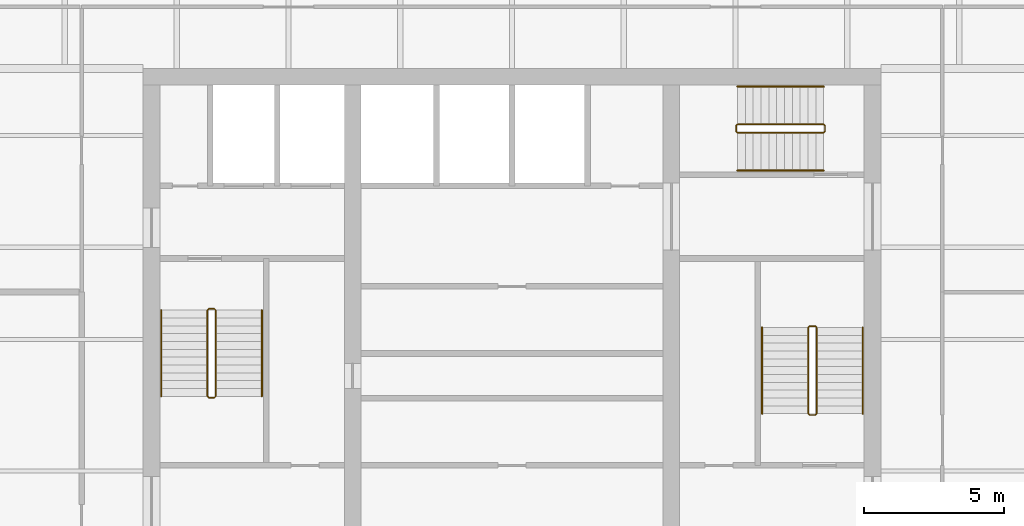
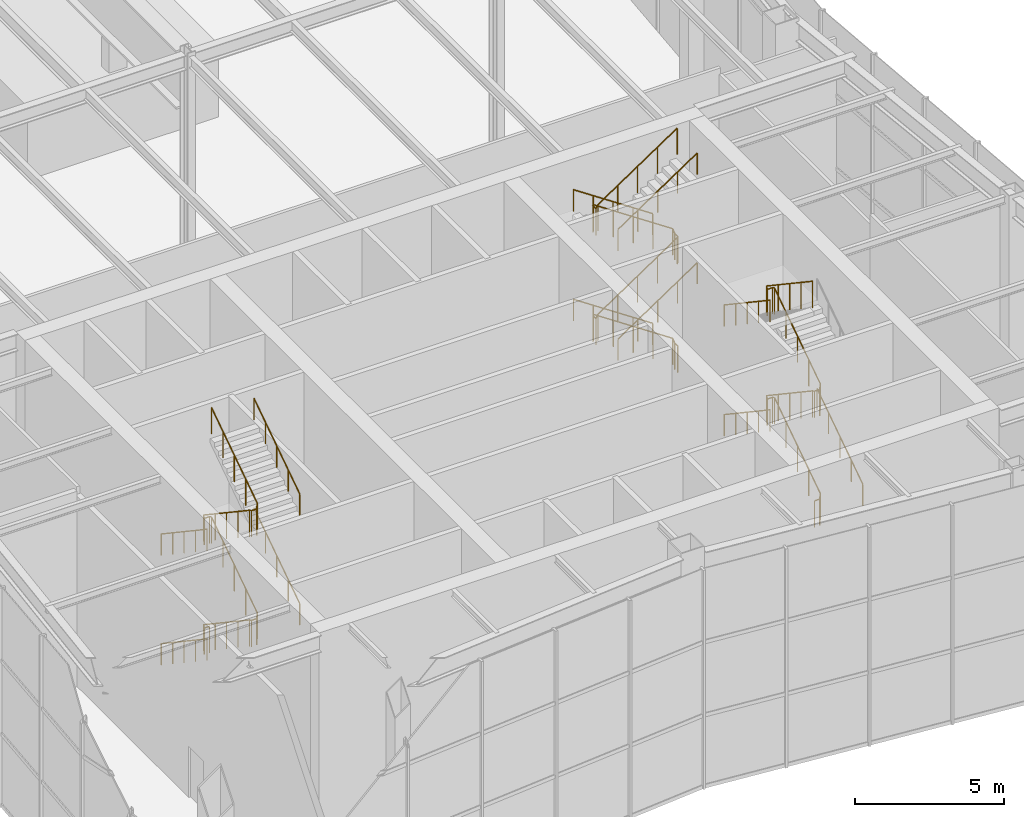
# One storey, part 14 of 16: 14 railings.
"""IFC4 building model written with IfcOpenShell, lengths in metres."""

from ifc_helpers import new_model, si_unit, direction, frame, origin, origin_2d, place, context, subcontext, project, spatial, circle, extrude, material, type_object, element, save


model = new_model("IFC4")

# Units and contexts
model_context = context("Model", 3, precision=1e-05, world=origin(), true_north=direction((0.0, 1.0)))
body_context = subcontext(model_context, "Body", "Model", "MODEL_VIEW")
ifc_project = project(units=[si_unit("LENGTHUNIT", "METRE"), si_unit("AREAUNIT", "SQUARE_METRE"), si_unit("VOLUMEUNIT", "CUBIC_METRE"), si_unit("PLANEANGLEUNIT", "RADIAN"), si_unit("MASSUNIT", "GRAM", prefix="KILO")], contexts=[model_context])

# Site, building, storey
site_placement = place(None, origin())
site = spatial("IfcSite", under=ifc_project, at=site_placement, CompositionType="ELEMENT")
building_placement = place(site_placement, origin())
building = spatial("IfcBuilding", under=site, at=building_placement, Name="Verdant Reach Tower", CompositionType="ELEMENT")
storey_placement = place(building_placement, frame((0.0, 0.0, 340.5)))
storey = spatial("IfcBuildingStorey", under=building, at=storey_placement, Name="L78 Damper", CompositionType="ELEMENT", Elevation=340.5)

# Railings
ifc_material = material(Name="Stainless steel", Category="steel")
railing_type_1 = type_object("IfcRailingType", Name="CO-GUARD", PredefinedType="GUARDRAIL", material=ifc_material)
railing_1_placement = place(storey_placement, frame((-10.64990234375, 29.60009765625, 0.0)))
element("IfcRailing", 1, at=railing_1_placement, inside=storey, type_object=railing_type_1, Name="L78 Damper ST-1 stair guard 1", PredefinedType="GUARDRAIL", context=body_context, shape_type="SweptSolid", body=[
    extrude(circle(Radius=0.02392578125, at=origin_2d()), frame((0.0, 0.0, 1.076171875), z_axis=(-1.0, 0.0, 0.0), x_axis=(0.0, -1.0, 0.0)), (0.0, 0.0, 1.0), 0.2001953125),
    extrude(circle(Radius=0.02392578125, at=origin_2d()), frame((-0.2001953125, 0.0, 1.076171875), z_axis=(-0.248583702486, -0.249802250048, 0.935844527007), x_axis=(0.708833529934, -0.705375805398, 0.0)), (0.0, 0.0, 1.0), 0.200439453125),
    extrude(circle(Radius=0.02392578125, at=origin_2d()), frame((-0.25, -0.050048828125, 1.263671875), z_axis=(0.0, -0.830913701846, 0.55640131208), x_axis=(1.0, 0.0, 0.0)), (0.0, 0.0, 1.0), 3.706787109375),
    extrude(circle(Radius=0.02392578125, at=origin_2d()), frame((-0.25, -3.130126953125, 3.326171875), z_axis=(0.705375805398, -0.708833529934, 0.0), x_axis=(0.708833529934, 0.705375805398, 0.0)), (0.0, 0.0, 1.0), 0.070556640625),
    extrude(circle(Radius=0.02392578125, at=origin_2d()), frame((-0.2001953125, -3.18017578125, 3.326171875), z_axis=(1.0, 0.0, 0.0), x_axis=(0.0, 1.0, 0.0)), (0.0, 0.0, 1.0), 0.2001953125),
    extrude(circle(Radius=0.02392578125, at=origin_2d()), frame((0.0, -3.18017578125, 3.326171875), z_axis=(0.248583702486, 0.249802250048, 0.935844527007), x_axis=(-0.708833529934, 0.705375805398, 0.0)), (0.0, 0.0, 1.0), 0.200439453125),
    extrude(circle(Radius=0.02392578125, at=origin_2d()), frame((0.0498046875, -3.130126953125, 3.513671875), z_axis=(0.0, 0.830913701846, 0.55640131208), x_axis=(-1.0, 0.0, 0.0)), (0.0, 0.0, 1.0), 3.706787109375),
    extrude(circle(Radius=0.02392578125, at=origin_2d()), frame((0.0498046875, -0.050048828125, 5.576171875), z_axis=(-0.705375805398, 0.708833529934, 0.0), x_axis=(-0.708833529934, -0.705375805398, 0.0)), (0.0, 0.0, 1.0), 0.070556640625),
    extrude(circle(Radius=0.02392578125, at=origin_2d()), frame((0.0, 0.0, 5.576171875), z_axis=(-1.0, 0.0, 0.0), x_axis=(0.0, -1.0, 0.0)), (0.0, 0.0, 1.0), 0.2001953125),
    extrude(circle(Radius=0.02392578125, at=origin_2d()), frame((-0.2001953125, 0.0, 5.576171875), z_axis=(-0.248583702486, -0.249802250048, 0.935844527007), x_axis=(0.708833529934, -0.705375805398, 0.0)), (0.0, 0.0, 1.0), 0.200439453125),
    extrude(circle(Radius=0.02392578125, at=origin_2d()), frame((-0.25, -0.050048828125, 5.763671875), z_axis=(0.0, -0.830913701846, 0.55640131208), x_axis=(1.0, 0.0, 0.0)), (0.0, 0.0, 1.0), 3.706787109375),
    extrude(circle(Radius=0.02392578125, at=origin_2d()), frame((-0.25, -3.130126953125, 7.826171875), z_axis=(0.705375805398, -0.708833529934, 0.0), x_axis=(0.708833529934, 0.705375805398, 0.0)), (0.0, 0.0, 1.0), 0.070556640625),
    extrude(circle(Radius=0.02392578125, at=origin_2d()), frame((-0.2001953125, -3.18017578125, 7.826171875), z_axis=(1.0, 0.0, 0.0), x_axis=(0.0, 1.0, 0.0)), (0.0, 0.0, 1.0), 0.2001953125),
    extrude(circle(Radius=0.02392578125, at=origin_2d()), frame((0.0, -3.18017578125, 7.826171875), z_axis=(0.248583702486, 0.249802250048, 0.935844527007), x_axis=(-0.708833529934, 0.705375805398, 0.0)), (0.0, 0.0, 1.0), 0.200439453125),
    extrude(circle(Radius=0.02392578125, at=origin_2d()), frame((0.0498046875, -3.130126953125, 8.013671875), z_axis=(0.0, 0.830913701846, 0.55640131208), x_axis=(-1.0, 0.0, 0.0)), (0.0, 0.0, 1.0), 3.706787109375),
    extrude(circle(Radius=0.02099609375, at=origin_2d()), origin(), (0.0, 0.0, 1.0), 1.052001953125),
    extrude(circle(Radius=0.02099609375, at=origin_2d()), frame((-0.2001953125, 0.0, 0.0)), (0.0, 0.0, 1.0), 1.052001953125),
    extrude(circle(Radius=0.02099609375, at=origin_2d()), frame((-0.25, -0.050048828125, 0.1875)), (0.0, 0.0, 1.0), 1.052001953125),
    extrude(circle(Radius=0.02099609375, at=origin_2d()), frame((-0.25, -0.820068359375, 0.703125)), (0.0, 0.0, 1.0), 1.052001953125),
    extrude(circle(Radius=0.02099609375, at=origin_2d()), frame((-0.25, -1.590087890625, 1.21875)), (0.0, 0.0, 1.0), 1.052001953125),
    extrude(circle(Radius=0.02099609375, at=origin_2d()), frame((-0.25, -2.360107421875, 1.734375)), (0.0, 0.0, 1.0), 1.052001953125),
    extrude(circle(Radius=0.02099609375, at=origin_2d()), frame((-0.25, -3.130126953125, 2.25)), (0.0, 0.0, 1.0), 1.052001953125),
    extrude(circle(Radius=0.02099609375, at=origin_2d()), frame((-0.2001953125, -3.18017578125, 2.25)), (0.0, 0.0, 1.0), 1.052001953125),
    extrude(circle(Radius=0.02099609375, at=origin_2d()), frame((0.0, -3.18017578125, 2.25)), (0.0, 0.0, 1.0), 1.052001953125),
    extrude(circle(Radius=0.02099609375, at=origin_2d()), frame((0.0498046875, -3.130126953125, 2.4375)), (0.0, 0.0, 1.0), 1.052001953125),
    extrude(circle(Radius=0.02099609375, at=origin_2d()), frame((0.0498046875, -2.360107421875, 2.953125)), (0.0, 0.0, 1.0), 1.052001953125),
    extrude(circle(Radius=0.02099609375, at=origin_2d()), frame((0.0498046875, -1.590087890625, 3.46875)), (0.0, 0.0, 1.0), 1.052001953125),
    extrude(circle(Radius=0.02099609375, at=origin_2d()), frame((0.0498046875, -0.820068359375, 3.984375)), (0.0, 0.0, 1.0), 1.052001953125),
    extrude(circle(Radius=0.02099609375, at=origin_2d()), frame((0.0498046875, -0.050048828125, 4.5)), (0.0, 0.0, 1.0), 1.052001953125),
    extrude(circle(Radius=0.02099609375, at=origin_2d()), frame((0.0, 0.0, 4.5)), (0.0, 0.0, 1.0), 1.052001953125),
    extrude(circle(Radius=0.02099609375, at=origin_2d()), frame((-0.2001953125, 0.0, 4.5)), (0.0, 0.0, 1.0), 1.052001953125),
    extrude(circle(Radius=0.02099609375, at=origin_2d()), frame((-0.25, -0.050048828125, 4.6875)), (0.0, 0.0, 1.0), 1.052001953125),
    extrude(circle(Radius=0.02099609375, at=origin_2d()), frame((-0.25, -0.820068359375, 5.203125)), (0.0, 0.0, 1.0), 1.052001953125),
    extrude(circle(Radius=0.02099609375, at=origin_2d()), frame((-0.25, -1.590087890625, 5.71875)), (0.0, 0.0, 1.0), 1.052001953125),
    extrude(circle(Radius=0.02099609375, at=origin_2d()), frame((-0.25, -2.360107421875, 6.234375)), (0.0, 0.0, 1.0), 1.052001953125),
    extrude(circle(Radius=0.02099609375, at=origin_2d()), frame((-0.25, -3.130126953125, 6.75)), (0.0, 0.0, 1.0), 1.052001953125),
    extrude(circle(Radius=0.02099609375, at=origin_2d()), frame((-0.2001953125, -3.18017578125, 6.75)), (0.0, 0.0, 1.0), 1.052001953125),
    extrude(circle(Radius=0.02099609375, at=origin_2d()), frame((0.0, -3.18017578125, 6.75)), (0.0, 0.0, 1.0), 1.052001953125),
    extrude(circle(Radius=0.02099609375, at=origin_2d()), frame((0.0498046875, -3.130126953125, 6.9375)), (0.0, 0.0, 1.0), 1.052001953125),
    extrude(circle(Radius=0.02099609375, at=origin_2d()), frame((0.0498046875, -2.360107421875, 7.453125)), (0.0, 0.0, 1.0), 1.052001953125),
    extrude(circle(Radius=0.02099609375, at=origin_2d()), frame((0.0498046875, -1.590087890625, 7.96875)), (0.0, 0.0, 1.0), 1.052001953125),
    extrude(circle(Radius=0.02099609375, at=origin_2d()), frame((0.0498046875, -0.820068359375, 8.484375)), (0.0, 0.0, 1.0), 1.052001953125),
    extrude(circle(Radius=0.02099609375, at=origin_2d()), frame((0.0498046875, -0.050048828125, 9.0)), (0.0, 0.0, 1.0), 1.052001953125),
])
railing_2_placement = place(storey_placement, frame((10.64990234375, 25.800048828125, 0.0)))
element("IfcRailing", 2, at=railing_2_placement, inside=storey, type_object=railing_type_1, Name="L78 Damper ST-2 stair guard 1", PredefinedType="GUARDRAIL", context=body_context, shape_type="SweptSolid", body=[
    extrude(circle(Radius=0.02392578125, at=origin_2d()), frame((0.0, 0.0, 1.076171875), z_axis=(1.0, 0.0, 0.0), x_axis=(0.0, 1.0, 0.0)), (0.0, 0.0, 1.0), 0.2001953125),
    extrude(circle(Radius=0.02392578125, at=origin_2d()), frame((0.2001953125, 0.0, 1.076171875), z_axis=(0.248583702486, 0.249802250048, 0.935844527007), x_axis=(-0.708833529934, 0.705375805398, 0.0)), (0.0, 0.0, 1.0), 0.200439453125),
    extrude(circle(Radius=0.02392578125, at=origin_2d()), frame((0.25, 0.050048828125, 1.263671875), z_axis=(0.0, 0.830893310487, 0.556431762742), x_axis=(-1.0, 0.0, 0.0)), (0.0, 0.0, 1.0), 3.70654296875),
    extrude(circle(Radius=0.02392578125, at=origin_2d()), frame((0.25, 3.1298828125, 3.326171875), z_axis=(-0.705375805398, 0.708833529934, 0.0), x_axis=(-0.708833529934, -0.705375805398, 0.0)), (0.0, 0.0, 1.0), 0.070556640625),
    extrude(circle(Radius=0.02392578125, at=origin_2d()), frame((0.2001953125, 3.179931640625, 3.326171875), z_axis=(-1.0, 0.0, 0.0), x_axis=(0.0, -1.0, 0.0)), (0.0, 0.0, 1.0), 0.2001953125),
    extrude(circle(Radius=0.02392578125, at=origin_2d()), frame((0.0, 3.179931640625, 3.326171875), z_axis=(-0.248583702486, -0.249802250048, 0.935844527007), x_axis=(0.708833529934, -0.705375805398, 0.0)), (0.0, 0.0, 1.0), 0.200439453125),
    extrude(circle(Radius=0.02392578125, at=origin_2d()), frame((-0.0498046875, 3.1298828125, 3.513671875), z_axis=(0.0, -0.830893310487, 0.556431762742), x_axis=(1.0, 0.0, 0.0)), (0.0, 0.0, 1.0), 3.70654296875),
    extrude(circle(Radius=0.02392578125, at=origin_2d()), frame((-0.0498046875, 0.050048828125, 5.576171875), z_axis=(0.705375805398, -0.708833529934, 0.0), x_axis=(0.708833529934, 0.705375805398, 0.0)), (0.0, 0.0, 1.0), 0.070556640625),
    extrude(circle(Radius=0.02392578125, at=origin_2d()), frame((0.0, 0.0, 5.576171875), z_axis=(1.0, 0.0, 0.0), x_axis=(0.0, 1.0, 0.0)), (0.0, 0.0, 1.0), 0.2001953125),
    extrude(circle(Radius=0.02392578125, at=origin_2d()), frame((0.2001953125, 0.0, 5.576171875), z_axis=(0.248583702486, 0.249802250048, 0.935844527007), x_axis=(-0.708833529934, 0.705375805398, 0.0)), (0.0, 0.0, 1.0), 0.200439453125),
    extrude(circle(Radius=0.02392578125, at=origin_2d()), frame((0.25, 0.050048828125, 5.763671875), z_axis=(0.0, 0.830893310487, 0.556431762742), x_axis=(-1.0, 0.0, 0.0)), (0.0, 0.0, 1.0), 3.70654296875),
    extrude(circle(Radius=0.02392578125, at=origin_2d()), frame((0.25, 3.1298828125, 7.826171875), z_axis=(-0.705375805398, 0.708833529934, 0.0), x_axis=(-0.708833529934, -0.705375805398, 0.0)), (0.0, 0.0, 1.0), 0.070556640625),
    extrude(circle(Radius=0.02392578125, at=origin_2d()), frame((0.2001953125, 3.179931640625, 7.826171875), z_axis=(-1.0, 0.0, 0.0), x_axis=(0.0, -1.0, 0.0)), (0.0, 0.0, 1.0), 0.2001953125),
    extrude(circle(Radius=0.02392578125, at=origin_2d()), frame((0.0, 3.179931640625, 7.826171875), z_axis=(-0.248583702486, -0.249802250048, 0.935844527007), x_axis=(0.708833529934, -0.705375805398, 0.0)), (0.0, 0.0, 1.0), 0.200439453125),
    extrude(circle(Radius=0.02392578125, at=origin_2d()), frame((-0.0498046875, 3.1298828125, 8.013671875), z_axis=(0.0, -0.830893310487, 0.556431762742), x_axis=(1.0, 0.0, 0.0)), (0.0, 0.0, 1.0), 3.70654296875),
    extrude(circle(Radius=0.02099609375, at=origin_2d()), origin(), (0.0, 0.0, 1.0), 1.052001953125),
    extrude(circle(Radius=0.02099609375, at=origin_2d()), frame((0.2001953125, 0.0, 0.0)), (0.0, 0.0, 1.0), 1.052001953125),
    extrude(circle(Radius=0.02099609375, at=origin_2d()), frame((0.25, 0.050048828125, 0.1875)), (0.0, 0.0, 1.0), 1.052001953125),
    extrude(circle(Radius=0.02099609375, at=origin_2d()), frame((0.25, 0.820068359375, 0.703125)), (0.0, 0.0, 1.0), 1.052001953125),
    extrude(circle(Radius=0.02099609375, at=origin_2d()), frame((0.25, 1.58984375, 1.21875)), (0.0, 0.0, 1.0), 1.052001953125),
    extrude(circle(Radius=0.02099609375, at=origin_2d()), frame((0.25, 2.35986328125, 1.734375)), (0.0, 0.0, 1.0), 1.052001953125),
    extrude(circle(Radius=0.02099609375, at=origin_2d()), frame((0.25, 3.1298828125, 2.25)), (0.0, 0.0, 1.0), 1.052001953125),
    extrude(circle(Radius=0.02099609375, at=origin_2d()), frame((0.2001953125, 3.179931640625, 2.25)), (0.0, 0.0, 1.0), 1.052001953125),
    extrude(circle(Radius=0.02099609375, at=origin_2d()), frame((0.0, 3.179931640625, 2.25)), (0.0, 0.0, 1.0), 1.052001953125),
    extrude(circle(Radius=0.02099609375, at=origin_2d()), frame((-0.0498046875, 3.1298828125, 2.4375)), (0.0, 0.0, 1.0), 1.052001953125),
    extrude(circle(Radius=0.02099609375, at=origin_2d()), frame((-0.0498046875, 2.35986328125, 2.953125)), (0.0, 0.0, 1.0), 1.052001953125),
    extrude(circle(Radius=0.02099609375, at=origin_2d()), frame((-0.0498046875, 1.58984375, 3.46875)), (0.0, 0.0, 1.0), 1.052001953125),
    extrude(circle(Radius=0.02099609375, at=origin_2d()), frame((-0.0498046875, 0.820068359375, 3.984375)), (0.0, 0.0, 1.0), 1.052001953125),
    extrude(circle(Radius=0.02099609375, at=origin_2d()), frame((-0.0498046875, 0.050048828125, 4.5)), (0.0, 0.0, 1.0), 1.052001953125),
    extrude(circle(Radius=0.02099609375, at=origin_2d()), frame((0.0, 0.0, 4.5)), (0.0, 0.0, 1.0), 1.052001953125),
    extrude(circle(Radius=0.02099609375, at=origin_2d()), frame((0.2001953125, 0.0, 4.5)), (0.0, 0.0, 1.0), 1.052001953125),
    extrude(circle(Radius=0.02099609375, at=origin_2d()), frame((0.25, 0.050048828125, 4.6875)), (0.0, 0.0, 1.0), 1.052001953125),
    extrude(circle(Radius=0.02099609375, at=origin_2d()), frame((0.25, 0.820068359375, 5.203125)), (0.0, 0.0, 1.0), 1.052001953125),
    extrude(circle(Radius=0.02099609375, at=origin_2d()), frame((0.25, 1.58984375, 5.71875)), (0.0, 0.0, 1.0), 1.052001953125),
    extrude(circle(Radius=0.02099609375, at=origin_2d()), frame((0.25, 2.35986328125, 6.234375)), (0.0, 0.0, 1.0), 1.052001953125),
    extrude(circle(Radius=0.02099609375, at=origin_2d()), frame((0.25, 3.1298828125, 6.75)), (0.0, 0.0, 1.0), 1.052001953125),
    extrude(circle(Radius=0.02099609375, at=origin_2d()), frame((0.2001953125, 3.179931640625, 6.75)), (0.0, 0.0, 1.0), 1.052001953125),
    extrude(circle(Radius=0.02099609375, at=origin_2d()), frame((0.0, 3.179931640625, 6.75)), (0.0, 0.0, 1.0), 1.052001953125),
    extrude(circle(Radius=0.02099609375, at=origin_2d()), frame((-0.0498046875, 3.1298828125, 6.9375)), (0.0, 0.0, 1.0), 1.052001953125),
    extrude(circle(Radius=0.02099609375, at=origin_2d()), frame((-0.0498046875, 2.35986328125, 7.453125)), (0.0, 0.0, 1.0), 1.052001953125),
    extrude(circle(Radius=0.02099609375, at=origin_2d()), frame((-0.0498046875, 1.58984375, 7.96875)), (0.0, 0.0, 1.0), 1.052001953125),
    extrude(circle(Radius=0.02099609375, at=origin_2d()), frame((-0.0498046875, 0.820068359375, 8.484375)), (0.0, 0.0, 1.0), 1.052001953125),
    extrude(circle(Radius=0.02099609375, at=origin_2d()), frame((-0.0498046875, 0.050048828125, 9.0)), (0.0, 0.0, 1.0), 1.052001953125),
])
railing_3_placement = place(storey_placement, frame((11.199951171875, 35.949951171875, 0.0)))
element("IfcRailing", 3, at=railing_3_placement, inside=storey, type_object=railing_type_1, Name="L78 Damper ST-3 stair guard 1", PredefinedType="GUARDRAIL", context=body_context, shape_type="SweptSolid", body=[
    extrude(circle(Radius=0.02392578125, at=origin_2d()), frame((0.0, 0.0, 1.076171875), z_axis=(0.0, 1.0, 0.0), x_axis=(-1.0, 0.0, 0.0)), (0.0, 0.0, 1.0), 0.199951171875),
    extrude(circle(Radius=0.02392578125, at=origin_2d()), frame((0.0, 0.199951171875, 1.076171875), z_axis=(-0.249726431254, 0.249726431254, 0.935560483917), x_axis=(-0.707106781187, -0.707106781187, 0.0)), (0.0, 0.0, 1.0), 0.200439453125),
    extrude(circle(Radius=0.02392578125, at=origin_2d()), frame((-0.050048828125, 0.25, 1.263671875), z_axis=(-0.830893310487, 0.0, 0.556431762742), x_axis=(0.0, -1.0, 0.0)), (0.0, 0.0, 1.0), 3.70654296875),
    extrude(circle(Radius=0.02392578125, at=origin_2d()), frame((-3.1298828125, 0.25, 3.326171875), z_axis=(-0.707106781187, -0.707106781187, 0.0), x_axis=(0.707106781187, -0.707106781187, 0.0)), (0.0, 0.0, 1.0), 0.07080078125),
    extrude(circle(Radius=0.02392578125, at=origin_2d()), frame((-3.179931640625, 0.199951171875, 3.326171875), z_axis=(0.0, -1.0, 0.0), x_axis=(1.0, 0.0, 0.0)), (0.0, 0.0, 1.0), 0.199951171875),
    extrude(circle(Radius=0.02392578125, at=origin_2d()), frame((-3.179931640625, 0.0, 3.326171875), z_axis=(0.249726431254, -0.249726431254, 0.935560483917), x_axis=(0.707106781187, 0.707106781187, 0.0)), (0.0, 0.0, 1.0), 0.200439453125),
    extrude(circle(Radius=0.02392578125, at=origin_2d()), frame((-3.1298828125, -0.050048828125, 3.513671875), z_axis=(0.830893310487, 0.0, 0.556431762742), x_axis=(0.0, 1.0, 0.0)), (0.0, 0.0, 1.0), 3.70654296875),
    extrude(circle(Radius=0.02392578125, at=origin_2d()), frame((-0.050048828125, -0.050048828125, 5.576171875), z_axis=(0.707106781187, 0.707106781187, 0.0), x_axis=(-0.707106781187, 0.707106781187, 0.0)), (0.0, 0.0, 1.0), 0.07080078125),
    extrude(circle(Radius=0.02392578125, at=origin_2d()), frame((0.0, 0.0, 5.576171875), z_axis=(0.0, 1.0, 0.0), x_axis=(-1.0, 0.0, 0.0)), (0.0, 0.0, 1.0), 0.199951171875),
    extrude(circle(Radius=0.02392578125, at=origin_2d()), frame((0.0, 0.199951171875, 5.576171875), z_axis=(-0.249726431254, 0.249726431254, 0.935560483917), x_axis=(-0.707106781187, -0.707106781187, 0.0)), (0.0, 0.0, 1.0), 0.200439453125),
    extrude(circle(Radius=0.02392578125, at=origin_2d()), frame((-0.050048828125, 0.25, 5.763671875), z_axis=(-0.830893310487, 0.0, 0.556431762742), x_axis=(0.0, -1.0, 0.0)), (0.0, 0.0, 1.0), 3.70654296875),
    extrude(circle(Radius=0.02392578125, at=origin_2d()), frame((-3.1298828125, 0.25, 7.826171875), z_axis=(-0.707106781187, -0.707106781187, 0.0), x_axis=(0.707106781187, -0.707106781187, 0.0)), (0.0, 0.0, 1.0), 0.07080078125),
    extrude(circle(Radius=0.02392578125, at=origin_2d()), frame((-3.179931640625, 0.199951171875, 7.826171875), z_axis=(0.0, -1.0, 0.0), x_axis=(1.0, 0.0, 0.0)), (0.0, 0.0, 1.0), 0.199951171875),
    extrude(circle(Radius=0.02392578125, at=origin_2d()), frame((-3.179931640625, 0.0, 7.826171875), z_axis=(0.249726431254, -0.249726431254, 0.935560483917), x_axis=(0.707106781187, 0.707106781187, 0.0)), (0.0, 0.0, 1.0), 0.200439453125),
    extrude(circle(Radius=0.02392578125, at=origin_2d()), frame((-3.1298828125, -0.050048828125, 8.013671875), z_axis=(0.830893310487, 0.0, 0.556431762742), x_axis=(0.0, 1.0, 0.0)), (0.0, 0.0, 1.0), 3.70654296875),
    extrude(circle(Radius=0.02099609375, at=origin_2d()), origin(), (0.0, 0.0, 1.0), 1.052001953125),
    extrude(circle(Radius=0.02099609375, at=origin_2d()), frame((0.0, 0.199951171875, 0.0)), (0.0, 0.0, 1.0), 1.052001953125),
    extrude(circle(Radius=0.02099609375, at=origin_2d()), frame((-0.050048828125, 0.25, 0.1875)), (0.0, 0.0, 1.0), 1.052001953125),
    extrude(circle(Radius=0.02099609375, at=origin_2d()), frame((-0.820068359375, 0.25, 0.703125)), (0.0, 0.0, 1.0), 1.052001953125),
    extrude(circle(Radius=0.02099609375, at=origin_2d()), frame((-1.58984375, 0.25, 1.21875)), (0.0, 0.0, 1.0), 1.052001953125),
    extrude(circle(Radius=0.02099609375, at=origin_2d()), frame((-2.35986328125, 0.25, 1.734375)), (0.0, 0.0, 1.0), 1.052001953125),
    extrude(circle(Radius=0.02099609375, at=origin_2d()), frame((-3.1298828125, 0.25, 2.25)), (0.0, 0.0, 1.0), 1.052001953125),
    extrude(circle(Radius=0.02099609375, at=origin_2d()), frame((-3.179931640625, 0.199951171875, 2.25)), (0.0, 0.0, 1.0), 1.052001953125),
    extrude(circle(Radius=0.02099609375, at=origin_2d()), frame((-3.179931640625, 0.0, 2.25)), (0.0, 0.0, 1.0), 1.052001953125),
    extrude(circle(Radius=0.02099609375, at=origin_2d()), frame((-3.1298828125, -0.050048828125, 2.4375)), (0.0, 0.0, 1.0), 1.052001953125),
    extrude(circle(Radius=0.02099609375, at=origin_2d()), frame((-2.35986328125, -0.050048828125, 2.953125)), (0.0, 0.0, 1.0), 1.052001953125),
    extrude(circle(Radius=0.02099609375, at=origin_2d()), frame((-1.58984375, -0.050048828125, 3.46875)), (0.0, 0.0, 1.0), 1.052001953125),
    extrude(circle(Radius=0.02099609375, at=origin_2d()), frame((-0.820068359375, -0.050048828125, 3.984375)), (0.0, 0.0, 1.0), 1.052001953125),
    extrude(circle(Radius=0.02099609375, at=origin_2d()), frame((-0.050048828125, -0.050048828125, 4.5)), (0.0, 0.0, 1.0), 1.052001953125),
    extrude(circle(Radius=0.02099609375, at=origin_2d()), frame((0.0, 0.0, 4.5)), (0.0, 0.0, 1.0), 1.052001953125),
    extrude(circle(Radius=0.02099609375, at=origin_2d()), frame((0.0, 0.199951171875, 4.5)), (0.0, 0.0, 1.0), 1.052001953125),
    extrude(circle(Radius=0.02099609375, at=origin_2d()), frame((-0.050048828125, 0.25, 4.6875)), (0.0, 0.0, 1.0), 1.052001953125),
    extrude(circle(Radius=0.02099609375, at=origin_2d()), frame((-0.820068359375, 0.25, 5.203125)), (0.0, 0.0, 1.0), 1.052001953125),
    extrude(circle(Radius=0.02099609375, at=origin_2d()), frame((-1.58984375, 0.25, 5.71875)), (0.0, 0.0, 1.0), 1.052001953125),
    extrude(circle(Radius=0.02099609375, at=origin_2d()), frame((-2.35986328125, 0.25, 6.234375)), (0.0, 0.0, 1.0), 1.052001953125),
    extrude(circle(Radius=0.02099609375, at=origin_2d()), frame((-3.1298828125, 0.25, 6.75)), (0.0, 0.0, 1.0), 1.052001953125),
    extrude(circle(Radius=0.02099609375, at=origin_2d()), frame((-3.179931640625, 0.199951171875, 6.75)), (0.0, 0.0, 1.0), 1.052001953125),
    extrude(circle(Radius=0.02099609375, at=origin_2d()), frame((-3.179931640625, 0.0, 6.75)), (0.0, 0.0, 1.0), 1.052001953125),
    extrude(circle(Radius=0.02099609375, at=origin_2d()), frame((-3.1298828125, -0.050048828125, 6.9375)), (0.0, 0.0, 1.0), 1.052001953125),
    extrude(circle(Radius=0.02099609375, at=origin_2d()), frame((-2.35986328125, -0.050048828125, 7.453125)), (0.0, 0.0, 1.0), 1.052001953125),
    extrude(circle(Radius=0.02099609375, at=origin_2d()), frame((-1.58984375, -0.050048828125, 7.96875)), (0.0, 0.0, 1.0), 1.052001953125),
    extrude(circle(Radius=0.02099609375, at=origin_2d()), frame((-0.820068359375, -0.050048828125, 8.484375)), (0.0, 0.0, 1.0), 1.052001953125),
    extrude(circle(Radius=0.02099609375, at=origin_2d()), frame((-0.050048828125, -0.050048828125, 9.0)), (0.0, 0.0, 1.0), 1.052001953125),
])
railing_type_2 = type_object("IfcRailingType", Name="CO-HANDRAIL", PredefinedType="HANDRAIL", material=ifc_material)
railing_4_placement = place(storey_placement, frame((-12.550048828125, 29.550048828125, 0.1875)))
element("IfcRailing", 4, at=railing_4_placement, inside=storey, type_object=railing_type_2, Name="L78 Damper ST-1 stair handrail 1", PredefinedType="HANDRAIL", context=body_context, shape_type="SweptSolid", body=[
    extrude(circle(Radius=0.02392578125, at=origin_2d()), frame((0.0, 0.0, 0.8759765625), z_axis=(0.0, -0.830913701846, 0.55640131208), x_axis=(1.0, 0.0, 0.0)), (0.0, 0.0, 1.0), 3.706787109375),
    extrude(circle(Radius=0.02099609375, at=origin_2d()), origin(), (0.0, 0.0, 1.0), 0.851806640625),
    extrude(circle(Radius=0.02099609375, at=origin_2d()), frame((0.0, -0.77001953125, 0.515625)), (0.0, 0.0, 1.0), 0.851806640625),
    extrude(circle(Radius=0.02099609375, at=origin_2d()), frame((0.0, -1.5400390625, 1.03125)), (0.0, 0.0, 1.0), 0.851806640625),
    extrude(circle(Radius=0.02099609375, at=origin_2d()), frame((0.0, -2.31005859375, 1.546875)), (0.0, 0.0, 1.0), 0.851806640625),
    extrude(circle(Radius=0.02099609375, at=origin_2d()), frame((0.0, -3.080078125, 2.0625)), (0.0, 0.0, 1.0), 0.851806640625),
])
railing_5_placement = place(storey_placement, frame((-8.949951171875, 26.469970703125, 2.4375)))
element("IfcRailing", 5, at=railing_5_placement, inside=storey, type_object=railing_type_2, Name="L78 Damper ST-1 stair handrail 2", PredefinedType="HANDRAIL", context=body_context, shape_type="SweptSolid", body=[
    extrude(circle(Radius=0.02392578125, at=origin_2d()), frame((0.0, 0.0, 0.8759765625), z_axis=(0.0, 0.830913701846, 0.55640131208), x_axis=(-1.0, 0.0, 0.0)), (0.0, 0.0, 1.0), 3.706787109375),
    extrude(circle(Radius=0.02099609375, at=origin_2d()), origin(), (0.0, 0.0, 1.0), 0.851806640625),
    extrude(circle(Radius=0.02099609375, at=origin_2d()), frame((0.0, 0.77001953125, 0.515625)), (0.0, 0.0, 1.0), 0.851806640625),
    extrude(circle(Radius=0.02099609375, at=origin_2d()), frame((0.0, 1.5400390625, 1.03125)), (0.0, 0.0, 1.0), 0.851806640625),
    extrude(circle(Radius=0.02099609375, at=origin_2d()), frame((0.0, 2.31005859375, 1.546875)), (0.0, 0.0, 1.0), 0.851806640625),
    extrude(circle(Radius=0.02099609375, at=origin_2d()), frame((0.0, 3.080078125, 2.0625)), (0.0, 0.0, 1.0), 0.851806640625),
])
railing_6_placement = place(storey_placement, frame((-12.550048828125, 29.550048828125, 4.6875)))
element("IfcRailing", 6, at=railing_6_placement, inside=storey, type_object=railing_type_2, Name="L78 Damper ST-1 stair handrail 3", PredefinedType="HANDRAIL", context=body_context, shape_type="SweptSolid", body=[
    extrude(circle(Radius=0.02392578125, at=origin_2d()), frame((0.0, 0.0, 0.8759765625), z_axis=(0.0, -0.830913701846, 0.55640131208), x_axis=(1.0, 0.0, 0.0)), (0.0, 0.0, 1.0), 3.706787109375),
    extrude(circle(Radius=0.02099609375, at=origin_2d()), origin(), (0.0, 0.0, 1.0), 0.851806640625),
    extrude(circle(Radius=0.02099609375, at=origin_2d()), frame((0.0, -0.77001953125, 0.515625)), (0.0, 0.0, 1.0), 0.851806640625),
    extrude(circle(Radius=0.02099609375, at=origin_2d()), frame((0.0, -1.5400390625, 1.03125)), (0.0, 0.0, 1.0), 0.851806640625),
    extrude(circle(Radius=0.02099609375, at=origin_2d()), frame((0.0, -2.31005859375, 1.546875)), (0.0, 0.0, 1.0), 0.851806640625),
    extrude(circle(Radius=0.02099609375, at=origin_2d()), frame((0.0, -3.080078125, 2.0625)), (0.0, 0.0, 1.0), 0.851806640625),
])
railing_7_placement = place(storey_placement, frame((-8.949951171875, 26.469970703125, 6.9375)))
element("IfcRailing", 7, at=railing_7_placement, inside=storey, type_object=railing_type_2, Name="L78 Damper ST-1 stair handrail 4", PredefinedType="HANDRAIL", context=body_context, shape_type="SweptSolid", body=[
    extrude(circle(Radius=0.02392578125, at=origin_2d()), frame((0.0, 0.0, 0.8759765625), z_axis=(0.0, 0.830913701846, 0.55640131208), x_axis=(-1.0, 0.0, 0.0)), (0.0, 0.0, 1.0), 3.706787109375),
    extrude(circle(Radius=0.02099609375, at=origin_2d()), origin(), (0.0, 0.0, 1.0), 0.851806640625),
    extrude(circle(Radius=0.02099609375, at=origin_2d()), frame((0.0, 0.77001953125, 0.515625)), (0.0, 0.0, 1.0), 0.851806640625),
    extrude(circle(Radius=0.02099609375, at=origin_2d()), frame((0.0, 1.5400390625, 1.03125)), (0.0, 0.0, 1.0), 0.851806640625),
    extrude(circle(Radius=0.02099609375, at=origin_2d()), frame((0.0, 2.31005859375, 1.546875)), (0.0, 0.0, 1.0), 0.851806640625),
    extrude(circle(Radius=0.02099609375, at=origin_2d()), frame((0.0, 3.080078125, 2.0625)), (0.0, 0.0, 1.0), 0.851806640625),
])
railing_8_placement = place(storey_placement, frame((12.550048828125, 25.85009765625, 0.1875)))
element("IfcRailing", 8, at=railing_8_placement, inside=storey, type_object=railing_type_2, Name="L78 Damper ST-2 stair handrail 1", PredefinedType="HANDRAIL", context=body_context, shape_type="SweptSolid", body=[
    extrude(circle(Radius=0.02392578125, at=origin_2d()), frame((0.0, 0.0, 0.8759765625), z_axis=(0.0, 0.830893310487, 0.556431762742), x_axis=(-1.0, 0.0, 0.0)), (0.0, 0.0, 1.0), 3.70654296875),
    extrude(circle(Radius=0.02099609375, at=origin_2d()), origin(), (0.0, 0.0, 1.0), 0.851806640625),
    extrude(circle(Radius=0.02099609375, at=origin_2d()), frame((0.0, 0.77001953125, 0.515625)), (0.0, 0.0, 1.0), 0.851806640625),
    extrude(circle(Radius=0.02099609375, at=origin_2d()), frame((0.0, 1.5400390625, 1.03125)), (0.0, 0.0, 1.0), 0.851806640625),
    extrude(circle(Radius=0.02099609375, at=origin_2d()), frame((0.0, 2.309814453125, 1.546875)), (0.0, 0.0, 1.0), 0.851806640625),
    extrude(circle(Radius=0.02099609375, at=origin_2d()), frame((0.0, 3.079833984375, 2.0625)), (0.0, 0.0, 1.0), 0.851806640625),
])
for number, where, name in (
    (9, (8.949951171875, 28.929931640625, 2.4375), "L78 Damper ST-2 stair handrail 2"),
    (10, (8.949951171875, 28.929931640625, 6.9375), "L78 Damper ST-2 stair handrail 4"),
):
    element("IfcRailing", number, at=place(storey_placement, frame(where)), inside=storey, type_object=railing_type_2, Name=name, PredefinedType="HANDRAIL", context=body_context, shape_type="SweptSolid", body=[
        extrude(circle(Radius=0.02392578125, at=origin_2d()), frame((0.0, 0.0, 0.8759765625), z_axis=(0.0, -0.830893310487, 0.556431762742), x_axis=(1.0, 0.0, 0.0)), (0.0, 0.0, 1.0), 3.70654296875),
        extrude(circle(Radius=0.02099609375, at=origin_2d()), origin(), (0.0, 0.0, 1.0), 0.851806640625),
        extrude(circle(Radius=0.02099609375, at=origin_2d()), frame((0.0, -0.77001953125, 0.515625)), (0.0, 0.0, 1.0), 0.851806640625),
        extrude(circle(Radius=0.02099609375, at=origin_2d()), frame((0.0, -1.5400390625, 1.03125)), (0.0, 0.0, 1.0), 0.851806640625),
        extrude(circle(Radius=0.02099609375, at=origin_2d()), frame((0.0, -2.309814453125, 1.546875)), (0.0, 0.0, 1.0), 0.851806640625),
        extrude(circle(Radius=0.02099609375, at=origin_2d()), frame((0.0, -3.079833984375, 2.0625)), (0.0, 0.0, 1.0), 0.851806640625),
    ])
railing_9_placement = place(storey_placement, frame((11.14990234375, 37.550048828125, 0.1875)))
element("IfcRailing", 11, at=railing_9_placement, inside=storey, type_object=railing_type_2, Name="L78 Damper ST-3 stair handrail 1", PredefinedType="HANDRAIL", context=body_context, shape_type="SweptSolid", body=[
    extrude(circle(Radius=0.02392578125, at=origin_2d()), frame((0.0, 0.0, 0.8759765625), z_axis=(-0.830893310487, 0.0, 0.556431762742), x_axis=(0.0, -1.0, 0.0)), (0.0, 0.0, 1.0), 3.70654296875),
    extrude(circle(Radius=0.02099609375, at=origin_2d()), origin(), (0.0, 0.0, 1.0), 0.851806640625),
    extrude(circle(Radius=0.02099609375, at=origin_2d()), frame((-0.77001953125, 0.0, 0.515625)), (0.0, 0.0, 1.0), 0.851806640625),
    extrude(circle(Radius=0.02099609375, at=origin_2d()), frame((-1.5400390625, 0.0, 1.03125)), (0.0, 0.0, 1.0), 0.851806640625),
    extrude(circle(Radius=0.02099609375, at=origin_2d()), frame((-2.309814453125, 0.0, 1.546875)), (0.0, 0.0, 1.0), 0.851806640625),
    extrude(circle(Radius=0.02099609375, at=origin_2d()), frame((-3.079833984375, 0.0, 2.0625)), (0.0, 0.0, 1.0), 0.851806640625),
])
railing_10_placement = place(storey_placement, frame((8.070068359375, 34.550048828125, 2.4375)))
element("IfcRailing", 12, at=railing_10_placement, inside=storey, type_object=railing_type_2, Name="L78 Damper ST-3 stair handrail 2", PredefinedType="HANDRAIL", context=body_context, shape_type="SweptSolid", body=[
    extrude(circle(Radius=0.02392578125, at=origin_2d()), frame((0.0, 0.0, 0.8759765625), z_axis=(0.830893310487, 0.0, 0.556431762742), x_axis=(0.0, 1.0, 0.0)), (0.0, 0.0, 1.0), 3.70654296875),
    extrude(circle(Radius=0.02099609375, at=origin_2d()), origin(), (0.0, 0.0, 1.0), 0.851806640625),
    extrude(circle(Radius=0.02099609375, at=origin_2d()), frame((0.77001953125, 0.0, 0.515625)), (0.0, 0.0, 1.0), 0.851806640625),
    extrude(circle(Radius=0.02099609375, at=origin_2d()), frame((1.5400390625, 0.0, 1.03125)), (0.0, 0.0, 1.0), 0.851806640625),
    extrude(circle(Radius=0.02099609375, at=origin_2d()), frame((2.309814453125, 0.0, 1.546875)), (0.0, 0.0, 1.0), 0.851806640625),
    extrude(circle(Radius=0.02099609375, at=origin_2d()), frame((3.079833984375, 0.0, 2.0625)), (0.0, 0.0, 1.0), 0.851806640625),
])
railing_11_placement = place(storey_placement, frame((11.14990234375, 37.550048828125, 4.6875)))
element("IfcRailing", 13, at=railing_11_placement, inside=storey, type_object=railing_type_2, Name="L78 Damper ST-3 stair handrail 3", PredefinedType="HANDRAIL", context=body_context, shape_type="SweptSolid", body=[
    extrude(circle(Radius=0.02392578125, at=origin_2d()), frame((0.0, 0.0, 0.8759765625), z_axis=(-0.830893310487, 0.0, 0.556431762742), x_axis=(0.0, -1.0, 0.0)), (0.0, 0.0, 1.0), 3.70654296875),
    extrude(circle(Radius=0.02099609375, at=origin_2d()), origin(), (0.0, 0.0, 1.0), 0.851806640625),
    extrude(circle(Radius=0.02099609375, at=origin_2d()), frame((-0.77001953125, 0.0, 0.515625)), (0.0, 0.0, 1.0), 0.851806640625),
    extrude(circle(Radius=0.02099609375, at=origin_2d()), frame((-1.5400390625, 0.0, 1.03125)), (0.0, 0.0, 1.0), 0.851806640625),
    extrude(circle(Radius=0.02099609375, at=origin_2d()), frame((-2.309814453125, 0.0, 1.546875)), (0.0, 0.0, 1.0), 0.851806640625),
    extrude(circle(Radius=0.02099609375, at=origin_2d()), frame((-3.079833984375, 0.0, 2.0625)), (0.0, 0.0, 1.0), 0.851806640625),
])
railing_12_placement = place(storey_placement, frame((8.070068359375, 34.550048828125, 6.9375)))
element("IfcRailing", 14, at=railing_12_placement, inside=storey, type_object=railing_type_2, Name="L78 Damper ST-3 stair handrail 4", PredefinedType="HANDRAIL", context=body_context, shape_type="SweptSolid", body=[
    extrude(circle(Radius=0.02392578125, at=origin_2d()), frame((0.0, 0.0, 0.8759765625), z_axis=(0.830893310487, 0.0, 0.556431762742), x_axis=(0.0, 1.0, 0.0)), (0.0, 0.0, 1.0), 3.70654296875),
    extrude(circle(Radius=0.02099609375, at=origin_2d()), origin(), (0.0, 0.0, 1.0), 0.851806640625),
    extrude(circle(Radius=0.02099609375, at=origin_2d()), frame((0.77001953125, 0.0, 0.515625)), (0.0, 0.0, 1.0), 0.851806640625),
    extrude(circle(Radius=0.02099609375, at=origin_2d()), frame((1.5400390625, 0.0, 1.03125)), (0.0, 0.0, 1.0), 0.851806640625),
    extrude(circle(Radius=0.02099609375, at=origin_2d()), frame((2.309814453125, 0.0, 1.546875)), (0.0, 0.0, 1.0), 0.851806640625),
    extrude(circle(Radius=0.02099609375, at=origin_2d()), frame((3.079833984375, 0.0, 2.0625)), (0.0, 0.0, 1.0), 0.851806640625),
])

save(model, "model.ifc")
